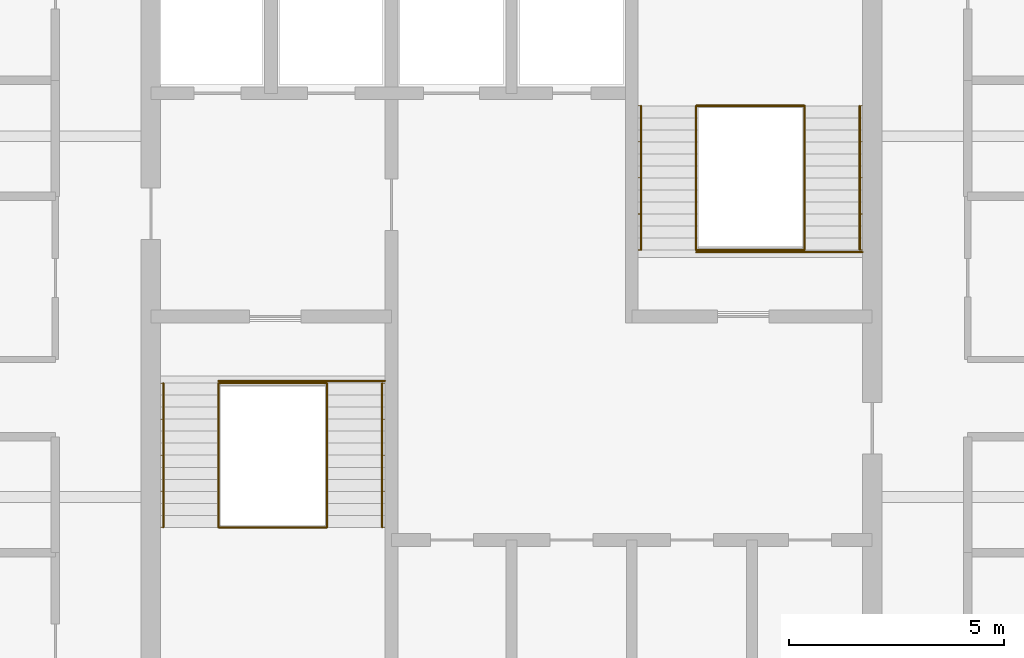
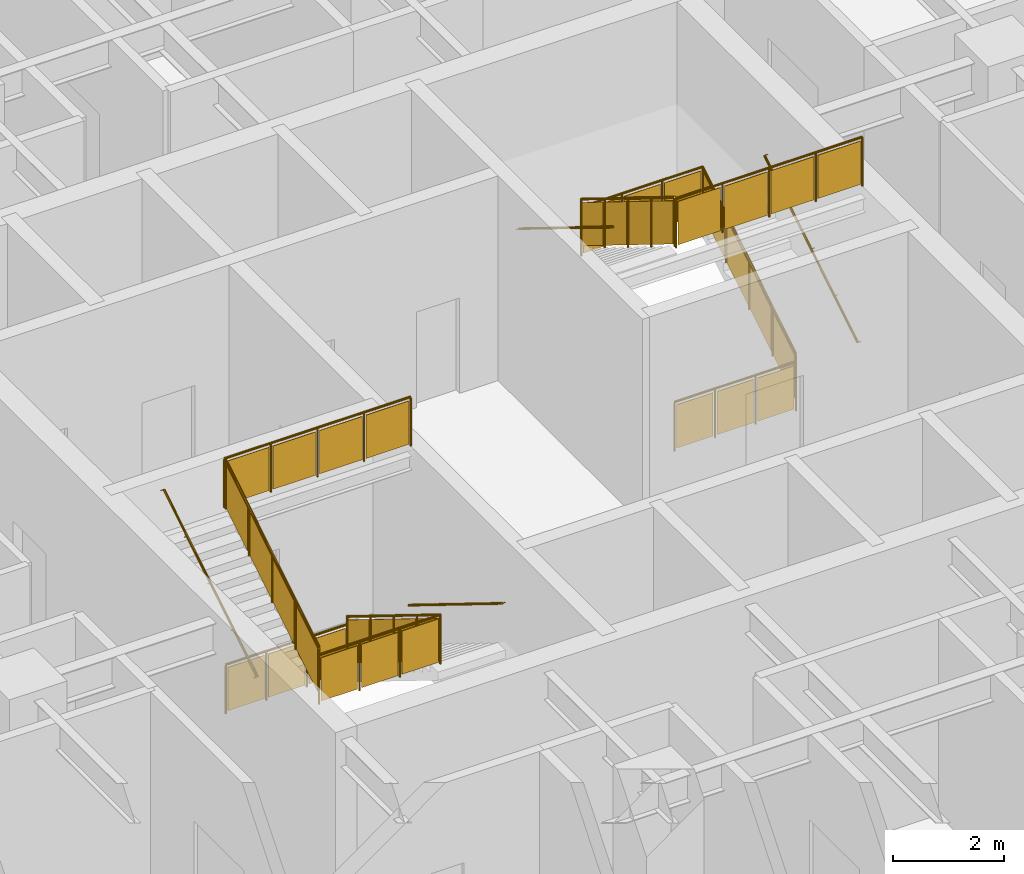
# One storey, part 8 of 8: 14 railings.
"""IFC4 building model written with IfcOpenShell, lengths in metres."""

from ifc_helpers import new_model, si_unit, direction, frame, origin, origin_2d, place, context, subcontext, project, spatial, polyline, circle, outline, extrude, material, type_object, element, save


model = new_model("IFC4")

# Units and contexts
model_context = context("Model", 3, precision=1e-05, world=origin(), true_north=direction((0.0, 1.0)))
body_context = subcontext(model_context, "Body", "Model", "MODEL_VIEW")
ifc_project = project(units=[si_unit("LENGTHUNIT", "METRE"), si_unit("AREAUNIT", "SQUARE_METRE"), si_unit("VOLUMEUNIT", "CUBIC_METRE"), si_unit("PLANEANGLEUNIT", "RADIAN"), si_unit("MASSUNIT", "GRAM", prefix="KILO")], contexts=[model_context])

# Site, building, storey
site_placement = place(None, origin())
site = spatial("IfcSite", under=ifc_project, at=site_placement, CompositionType="ELEMENT")
building_placement = place(site_placement, origin())
building = spatial("IfcBuilding", under=site, at=building_placement, Name="Torre Alcanfor", CompositionType="ELEMENT")
storey_placement = place(building_placement, frame((0.0, 0.0, 305.39990234375)))
storey = spatial("IfcBuildingStorey", under=building, at=storey_placement, Name="L80", CompositionType="ELEMENT", Elevation=305.39990234375)

# Railings
ifc_material_1 = material(Name="Steel ASTM A500 Grade C hollow sections", Category="steel")
railing_type_1 = type_object("IfcRailingType", Name="Stair guard and handrail 1100", PredefinedType="GUARDRAIL", material=ifc_material_1)
railing_1_placement = place(storey_placement, frame((25.10009765625, 27.85009765625, 0.173095703125)))
element("IfcRailing", 1, at=railing_1_placement, inside=storey, type_object=railing_type_1, Name="Stair guard S1 L80 flight 1", PredefinedType="GUARDRAIL", context=body_context, shape_type="SweptSolid", body=[
    extrude(circle(Radius=0.02392578125, at=origin_2d()), frame((0.0, 0.0, 1.076171875), z_axis=(0.0, -0.850623216509, 0.525775754039), x_axis=(1.0, 0.0, 0.0)), (0.0, 0.0, 1.0), 3.9501953125),
    extrude(circle(Radius=0.02099609375, at=origin_2d()), origin(), (0.0, 0.0, 1.0), 1.052001953125),
    extrude(circle(Radius=0.02099609375, at=origin_2d()), frame((0.0, -0.840087890625, 0.519287109375)), (0.0, 0.0, 1.0), 1.052001953125),
    extrude(circle(Radius=0.02099609375, at=origin_2d()), frame((0.0, -1.68017578125, 1.03857421875)), (0.0, 0.0, 1.0), 1.052001953125),
    extrude(circle(Radius=0.02099609375, at=origin_2d()), frame((0.0, -2.52001953125, 1.5576171875)), (0.0, 0.0, 1.0), 1.052001953125),
    extrude(circle(Radius=0.02099609375, at=origin_2d()), frame((0.0, -3.360107421875, 2.076904296875)), (0.0, 0.0, 1.0), 1.052001953125),
    extrude(outline(polyline([(0.041015625, 0.075439453125), (0.799072265625, 0.5439453125), (0.799072265625, 1.495849609375), (0.041015625, 1.02734375), (0.041015625, 0.075439453125)])), frame((0.005859375, 0.0, 0.0), z_axis=(-1.0, 0.0, 0.0), x_axis=(0.0, -1.0, 0.0)), (0.0, 0.0, 1.0), 0.011962890625),
    extrude(outline(polyline([(0.881103515625, 0.594482421875), (1.63916015625, 1.06298828125), (1.63916015625, 2.01513671875), (0.881103515625, 1.546630859375), (0.881103515625, 0.594482421875)])), frame((0.005859375, 0.0, 0.0), z_axis=(-1.0, 0.0, 0.0), x_axis=(0.0, -1.0, 0.0)), (0.0, 0.0, 1.0), 0.011962890625),
    extrude(outline(polyline([(1.720947265625, 1.11376953125), (2.47900390625, 1.582275390625), (2.47900390625, 2.534423828125), (1.720947265625, 2.065673828125), (1.720947265625, 1.11376953125)])), frame((0.005859375, 0.0, 0.0), z_axis=(-1.0, 0.0, 0.0), x_axis=(0.0, -1.0, 0.0)), (0.0, 0.0, 1.0), 0.011962890625),
    extrude(outline(polyline([(2.56103515625, 1.633056640625), (3.319091796875, 2.1015625), (3.319091796875, 3.053466796875), (2.56103515625, 2.5849609375), (2.56103515625, 1.633056640625)])), frame((0.005859375, 0.0, 0.0), z_axis=(-1.0, 0.0, 0.0), x_axis=(0.0, -1.0, 0.0)), (0.0, 0.0, 1.0), 0.011962890625),
])
railing_2_placement = place(storey_placement, frame((22.574951171875, 24.489990234375, 2.423095703125)))
element("IfcRailing", 2, at=railing_2_placement, inside=storey, type_object=railing_type_1, Name="Stair guard S1 L80 flight 2", PredefinedType="GUARDRAIL", context=body_context, shape_type="SweptSolid", body=[
    extrude(circle(Radius=0.02392578125, at=origin_2d()), frame((0.0, 0.0, 1.076171875), z_axis=(0.0, 0.850623216509, 0.525775754039), x_axis=(-1.0, 0.0, 0.0)), (0.0, 0.0, 1.0), 3.9501953125),
    extrude(circle(Radius=0.02099609375, at=origin_2d()), origin(), (0.0, 0.0, 1.0), 1.052001953125),
    extrude(circle(Radius=0.02099609375, at=origin_2d()), frame((0.0, 0.840087890625, 0.519287109375)), (0.0, 0.0, 1.0), 1.052001953125),
    extrude(circle(Radius=0.02099609375, at=origin_2d()), frame((0.0, 1.68017578125, 1.03857421875)), (0.0, 0.0, 1.0), 1.052001953125),
    extrude(circle(Radius=0.02099609375, at=origin_2d()), frame((0.0, 2.52001953125, 1.5576171875)), (0.0, 0.0, 1.0), 1.052001953125),
    extrude(circle(Radius=0.02099609375, at=origin_2d()), frame((0.0, 3.360107421875, 2.076904296875)), (0.0, 0.0, 1.0), 1.052001953125),
    extrude(outline(polyline([(0.041015625, 0.075439453125), (0.799072265625, 0.5439453125), (0.799072265625, 1.495849609375), (0.041015625, 1.02734375), (0.041015625, 0.075439453125)])), frame((-0.005859375, 0.0, 0.0), z_axis=(1.0, 0.0, 0.0), x_axis=(0.0, 1.0, 0.0)), (0.0, 0.0, 1.0), 0.011962890625),
    extrude(outline(polyline([(0.881103515625, 0.594482421875), (1.63916015625, 1.06298828125), (1.63916015625, 2.01513671875), (0.881103515625, 1.546630859375), (0.881103515625, 0.594482421875)])), frame((-0.005859375, 0.0, 0.0), z_axis=(1.0, 0.0, 0.0), x_axis=(0.0, 1.0, 0.0)), (0.0, 0.0, 1.0), 0.011962890625),
    extrude(outline(polyline([(1.720947265625, 1.11376953125), (2.47900390625, 1.582275390625), (2.47900390625, 2.534423828125), (1.720947265625, 2.065673828125), (1.720947265625, 1.11376953125)])), frame((-0.005859375, 0.0, 0.0), z_axis=(1.0, 0.0, 0.0), x_axis=(0.0, 1.0, 0.0)), (0.0, 0.0, 1.0), 0.011962890625),
    extrude(outline(polyline([(2.56103515625, 1.633056640625), (3.319091796875, 2.1015625), (3.319091796875, 3.053466796875), (2.56103515625, 2.5849609375), (2.56103515625, 1.633056640625)])), frame((-0.005859375, 0.0, 0.0), z_axis=(1.0, 0.0, 0.0), x_axis=(0.0, 1.0, 0.0)), (0.0, 0.0, 1.0), 0.011962890625),
])
for number, where, name in (
    (3, (22.574951171875, 27.85009765625, 0.0), "Stair well guard S1 L80 floor landing"),
    (4, (22.574951171875, 24.489990234375, 2.25), "Stair well guard S1 L80 half landing"),
):
    element("IfcRailing", number, at=place(storey_placement, frame(where)), inside=storey, type_object=railing_type_1, Name=name, PredefinedType="GUARDRAIL", context=body_context, shape_type="SweptSolid", body=[
        extrude(circle(Radius=0.02392578125, at=origin_2d()), frame((0.0, 0.0, 1.076171875), z_axis=(1.0, 0.0, 0.0), x_axis=(0.0, 1.0, 0.0)), (0.0, 0.0, 1.0), 2.525146484375),
        extrude(circle(Radius=0.02099609375, at=origin_2d()), origin(), (0.0, 0.0, 1.0), 1.052001953125),
        extrude(circle(Radius=0.02099609375, at=origin_2d()), frame((0.841796875, 0.0, 0.0)), (0.0, 0.0, 1.0), 1.052001953125),
        extrude(circle(Radius=0.02099609375, at=origin_2d()), frame((1.683349609375, 0.0, 0.0)), (0.0, 0.0, 1.0), 1.052001953125),
        extrude(circle(Radius=0.02099609375, at=origin_2d()), frame((2.525146484375, 0.0, 0.0)), (0.0, 0.0, 1.0), 1.052001953125),
        extrude(outline(polyline([(0.041015625, 0.050048828125), (0.80078125, 0.050048828125), (0.80078125, 1.001953125), (0.041015625, 1.001953125), (0.041015625, 0.050048828125)])), frame((0.0, 0.005859375, 0.0), z_axis=(0.0, -1.0, 0.0), x_axis=(1.0, 0.0, 0.0)), (0.0, 0.0, 1.0), 0.011962890625),
        extrude(outline(polyline([(0.8828125, 0.050048828125), (1.642333984375, 0.050048828125), (1.642333984375, 1.001953125), (0.8828125, 1.001953125), (0.8828125, 0.050048828125)])), frame((0.0, 0.005859375, 0.0), z_axis=(0.0, -1.0, 0.0), x_axis=(1.0, 0.0, 0.0)), (0.0, 0.0, 1.0), 0.011962890625),
        extrude(outline(polyline([(1.724365234375, 0.050048828125), (2.484130859375, 0.050048828125), (2.484130859375, 1.001953125), (1.724365234375, 1.001953125), (1.724365234375, 0.050048828125)])), frame((0.0, 0.005859375, 0.0), z_axis=(0.0, -1.0, 0.0), x_axis=(1.0, 0.0, 0.0)), (0.0, 0.0, 1.0), 0.011962890625),
    ])
railing_3_placement = place(storey_placement, frame((22.574951171875, 27.89990234375, 4.5)))
element("IfcRailing", 5, at=railing_3_placement, inside=storey, type_object=railing_type_1, Name="Stair well guard S1 RF top landing", PredefinedType="GUARDRAIL", context=body_context, shape_type="SweptSolid", body=[
    extrude(circle(Radius=0.02392578125, at=origin_2d()), frame((0.0, 0.0, 1.076171875), z_axis=(1.0, 0.0, 0.0), x_axis=(0.0, 1.0, 0.0)), (0.0, 0.0, 1.0), 3.875),
    extrude(circle(Radius=0.02099609375, at=origin_2d()), origin(), (0.0, 0.0, 1.0), 1.052001953125),
    extrude(circle(Radius=0.02099609375, at=origin_2d()), frame((0.96875, 0.0, 0.0)), (0.0, 0.0, 1.0), 1.052001953125),
    extrude(circle(Radius=0.02099609375, at=origin_2d()), frame((1.9375, 0.0, 0.0)), (0.0, 0.0, 1.0), 1.052001953125),
    extrude(circle(Radius=0.02099609375, at=origin_2d()), frame((2.90625, 0.0, 0.0)), (0.0, 0.0, 1.0), 1.052001953125),
    extrude(circle(Radius=0.02099609375, at=origin_2d()), frame((3.875, 0.0, 0.0)), (0.0, 0.0, 1.0), 1.052001953125),
    extrude(outline(polyline([(0.041015625, 0.050048828125), (0.927734375, 0.050048828125), (0.927734375, 1.001953125), (0.041015625, 1.001953125), (0.041015625, 0.050048828125)])), frame((0.0, 0.005859375, 0.0), z_axis=(0.0, -1.0, 0.0), x_axis=(1.0, 0.0, 0.0)), (0.0, 0.0, 1.0), 0.011962890625),
    extrude(outline(polyline([(1.009765625, 0.050048828125), (1.896484375, 0.050048828125), (1.896484375, 1.001953125), (1.009765625, 1.001953125), (1.009765625, 0.050048828125)])), frame((0.0, 0.005859375, 0.0), z_axis=(0.0, -1.0, 0.0), x_axis=(1.0, 0.0, 0.0)), (0.0, 0.0, 1.0), 0.011962890625),
    extrude(outline(polyline([(1.978515625, 0.050048828125), (2.865234375, 0.050048828125), (2.865234375, 1.001953125), (1.978515625, 1.001953125), (1.978515625, 0.050048828125)])), frame((0.0, 0.005859375, 0.0), z_axis=(0.0, -1.0, 0.0), x_axis=(1.0, 0.0, 0.0)), (0.0, 0.0, 1.0), 0.011962890625),
    extrude(outline(polyline([(2.947265625, 0.050048828125), (3.833984375, 0.050048828125), (3.833984375, 1.001953125), (2.947265625, 1.001953125), (2.947265625, 0.050048828125)])), frame((0.0, 0.005859375, 0.0), z_axis=(0.0, -1.0, 0.0), x_axis=(1.0, 0.0, 0.0)), (0.0, 0.0, 1.0), 0.011962890625),
])
railing_4_placement = place(storey_placement, frame((36.22509765625, 30.949951171875, 0.173095703125)))
element("IfcRailing", 6, at=railing_4_placement, inside=storey, type_object=railing_type_1, Name="Stair guard S2 L80 flight 1", PredefinedType="GUARDRAIL", context=body_context, shape_type="SweptSolid", body=[
    extrude(circle(Radius=0.02392578125, at=origin_2d()), frame((0.0, 0.0, 1.076171875), z_axis=(0.0, 0.850623216509, 0.525775754039), x_axis=(-1.0, 0.0, 0.0)), (0.0, 0.0, 1.0), 3.9501953125),
    extrude(circle(Radius=0.02099609375, at=origin_2d()), origin(), (0.0, 0.0, 1.0), 1.052001953125),
    extrude(circle(Radius=0.02099609375, at=origin_2d()), frame((0.0, 0.840087890625, 0.519287109375)), (0.0, 0.0, 1.0), 1.052001953125),
    extrude(circle(Radius=0.02099609375, at=origin_2d()), frame((0.0, 1.68017578125, 1.03857421875)), (0.0, 0.0, 1.0), 1.052001953125),
    extrude(circle(Radius=0.02099609375, at=origin_2d()), frame((0.0, 2.52001953125, 1.5576171875)), (0.0, 0.0, 1.0), 1.052001953125),
    extrude(circle(Radius=0.02099609375, at=origin_2d()), frame((0.0, 3.360107421875, 2.076904296875)), (0.0, 0.0, 1.0), 1.052001953125),
    extrude(outline(polyline([(0.041015625, 0.075439453125), (0.799072265625, 0.5439453125), (0.799072265625, 1.495849609375), (0.041015625, 1.02734375), (0.041015625, 0.075439453125)])), frame((-0.005859375, 0.0, 0.0), z_axis=(1.0, 0.0, 0.0), x_axis=(0.0, 1.0, 0.0)), (0.0, 0.0, 1.0), 0.011962890625),
    extrude(outline(polyline([(0.881103515625, 0.594482421875), (1.63916015625, 1.06298828125), (1.63916015625, 2.01513671875), (0.881103515625, 1.546630859375), (0.881103515625, 0.594482421875)])), frame((-0.005859375, 0.0, 0.0), z_axis=(1.0, 0.0, 0.0), x_axis=(0.0, 1.0, 0.0)), (0.0, 0.0, 1.0), 0.011962890625),
    extrude(outline(polyline([(1.720947265625, 1.11376953125), (2.47900390625, 1.582275390625), (2.47900390625, 2.534423828125), (1.720947265625, 2.065673828125), (1.720947265625, 1.11376953125)])), frame((-0.005859375, 0.0, 0.0), z_axis=(1.0, 0.0, 0.0), x_axis=(0.0, 1.0, 0.0)), (0.0, 0.0, 1.0), 0.011962890625),
    extrude(outline(polyline([(2.56103515625, 1.633056640625), (3.319091796875, 2.1015625), (3.319091796875, 3.053466796875), (2.56103515625, 2.5849609375), (2.56103515625, 1.633056640625)])), frame((-0.005859375, 0.0, 0.0), z_axis=(1.0, 0.0, 0.0), x_axis=(0.0, 1.0, 0.0)), (0.0, 0.0, 1.0), 0.011962890625),
])
railing_5_placement = place(storey_placement, frame((33.699951171875, 34.31005859375, 2.423095703125)))
element("IfcRailing", 7, at=railing_5_placement, inside=storey, type_object=railing_type_1, Name="Stair guard S2 L80 flight 2", PredefinedType="GUARDRAIL", context=body_context, shape_type="SweptSolid", body=[
    extrude(circle(Radius=0.02392578125, at=origin_2d()), frame((0.0, 0.0, 1.076171875), z_axis=(0.0, -0.850623216509, 0.525775754039), x_axis=(1.0, 0.0, 0.0)), (0.0, 0.0, 1.0), 3.9501953125),
    extrude(circle(Radius=0.02099609375, at=origin_2d()), origin(), (0.0, 0.0, 1.0), 1.052001953125),
    extrude(circle(Radius=0.02099609375, at=origin_2d()), frame((0.0, -0.840087890625, 0.519287109375)), (0.0, 0.0, 1.0), 1.052001953125),
    extrude(circle(Radius=0.02099609375, at=origin_2d()), frame((0.0, -1.68017578125, 1.03857421875)), (0.0, 0.0, 1.0), 1.052001953125),
    extrude(circle(Radius=0.02099609375, at=origin_2d()), frame((0.0, -2.52001953125, 1.5576171875)), (0.0, 0.0, 1.0), 1.052001953125),
    extrude(circle(Radius=0.02099609375, at=origin_2d()), frame((0.0, -3.360107421875, 2.076904296875)), (0.0, 0.0, 1.0), 1.052001953125),
    extrude(outline(polyline([(0.041015625, 0.075439453125), (0.799072265625, 0.5439453125), (0.799072265625, 1.495849609375), (0.041015625, 1.02734375), (0.041015625, 0.075439453125)])), frame((0.005859375, 0.0, 0.0), z_axis=(-1.0, 0.0, 0.0), x_axis=(0.0, -1.0, 0.0)), (0.0, 0.0, 1.0), 0.011962890625),
    extrude(outline(polyline([(0.881103515625, 0.594482421875), (1.63916015625, 1.06298828125), (1.63916015625, 2.01513671875), (0.881103515625, 1.546630859375), (0.881103515625, 0.594482421875)])), frame((0.005859375, 0.0, 0.0), z_axis=(-1.0, 0.0, 0.0), x_axis=(0.0, -1.0, 0.0)), (0.0, 0.0, 1.0), 0.011962890625),
    extrude(outline(polyline([(1.720947265625, 1.11376953125), (2.47900390625, 1.582275390625), (2.47900390625, 2.534423828125), (1.720947265625, 2.065673828125), (1.720947265625, 1.11376953125)])), frame((0.005859375, 0.0, 0.0), z_axis=(-1.0, 0.0, 0.0), x_axis=(0.0, -1.0, 0.0)), (0.0, 0.0, 1.0), 0.011962890625),
    extrude(outline(polyline([(2.56103515625, 1.633056640625), (3.319091796875, 2.1015625), (3.319091796875, 3.053466796875), (2.56103515625, 2.5849609375), (2.56103515625, 1.633056640625)])), frame((0.005859375, 0.0, 0.0), z_axis=(-1.0, 0.0, 0.0), x_axis=(0.0, -1.0, 0.0)), (0.0, 0.0, 1.0), 0.011962890625),
])
for number, where, name in (
    (8, (33.699951171875, 30.949951171875, 0.0), "Stair well guard S2 L80 floor landing"),
    (9, (33.699951171875, 34.31005859375, 2.25), "Stair well guard S2 L80 half landing"),
):
    element("IfcRailing", number, at=place(storey_placement, frame(where)), inside=storey, type_object=railing_type_1, Name=name, PredefinedType="GUARDRAIL", context=body_context, shape_type="SweptSolid", body=[
        extrude(circle(Radius=0.02392578125, at=origin_2d()), frame((0.0, 0.0, 1.076171875), z_axis=(1.0, 0.0, 0.0), x_axis=(0.0, 1.0, 0.0)), (0.0, 0.0, 1.0), 2.525146484375),
        extrude(circle(Radius=0.02099609375, at=origin_2d()), origin(), (0.0, 0.0, 1.0), 1.052001953125),
        extrude(circle(Radius=0.02099609375, at=origin_2d()), frame((0.841796875, 0.0, 0.0)), (0.0, 0.0, 1.0), 1.052001953125),
        extrude(circle(Radius=0.02099609375, at=origin_2d()), frame((1.683349609375, 0.0, 0.0)), (0.0, 0.0, 1.0), 1.052001953125),
        extrude(circle(Radius=0.02099609375, at=origin_2d()), frame((2.525146484375, 0.0, 0.0)), (0.0, 0.0, 1.0), 1.052001953125),
        extrude(outline(polyline([(0.041015625, 0.050048828125), (0.80078125, 0.050048828125), (0.80078125, 1.001953125), (0.041015625, 1.001953125), (0.041015625, 0.050048828125)])), frame((0.0, 0.005859375, 0.0), z_axis=(0.0, -1.0, 0.0), x_axis=(1.0, 0.0, 0.0)), (0.0, 0.0, 1.0), 0.011962890625),
        extrude(outline(polyline([(0.8828125, 0.050048828125), (1.642333984375, 0.050048828125), (1.642333984375, 1.001953125), (0.8828125, 1.001953125), (0.8828125, 0.050048828125)])), frame((0.0, 0.005859375, 0.0), z_axis=(0.0, -1.0, 0.0), x_axis=(1.0, 0.0, 0.0)), (0.0, 0.0, 1.0), 0.011962890625),
        extrude(outline(polyline([(1.724365234375, 0.050048828125), (2.484130859375, 0.050048828125), (2.484130859375, 1.001953125), (1.724365234375, 1.001953125), (1.724365234375, 0.050048828125)])), frame((0.0, 0.005859375, 0.0), z_axis=(0.0, -1.0, 0.0), x_axis=(1.0, 0.0, 0.0)), (0.0, 0.0, 1.0), 0.011962890625),
    ])
railing_6_placement = place(storey_placement, frame((33.699951171875, 30.89990234375, 4.5)))
element("IfcRailing", 10, at=railing_6_placement, inside=storey, type_object=railing_type_1, Name="Stair well guard S2 RF top landing", PredefinedType="GUARDRAIL", context=body_context, shape_type="SweptSolid", body=[
    extrude(circle(Radius=0.02392578125, at=origin_2d()), frame((0.0, 0.0, 1.076171875), z_axis=(1.0, 0.0, 0.0), x_axis=(0.0, 1.0, 0.0)), (0.0, 0.0, 1.0), 3.875),
    extrude(circle(Radius=0.02099609375, at=origin_2d()), origin(), (0.0, 0.0, 1.0), 1.052001953125),
    extrude(circle(Radius=0.02099609375, at=origin_2d()), frame((0.96875, 0.0, 0.0)), (0.0, 0.0, 1.0), 1.052001953125),
    extrude(circle(Radius=0.02099609375, at=origin_2d()), frame((1.9375, 0.0, 0.0)), (0.0, 0.0, 1.0), 1.052001953125),
    extrude(circle(Radius=0.02099609375, at=origin_2d()), frame((2.90625, 0.0, 0.0)), (0.0, 0.0, 1.0), 1.052001953125),
    extrude(circle(Radius=0.02099609375, at=origin_2d()), frame((3.875, 0.0, 0.0)), (0.0, 0.0, 1.0), 1.052001953125),
    extrude(outline(polyline([(0.041015625, 0.050048828125), (0.927734375, 0.050048828125), (0.927734375, 1.001953125), (0.041015625, 1.001953125), (0.041015625, 0.050048828125)])), frame((0.0, 0.005859375, 0.0), z_axis=(0.0, -1.0, 0.0), x_axis=(1.0, 0.0, 0.0)), (0.0, 0.0, 1.0), 0.011962890625),
    extrude(outline(polyline([(1.009765625, 0.050048828125), (1.896484375, 0.050048828125), (1.896484375, 1.001953125), (1.009765625, 1.001953125), (1.009765625, 0.050048828125)])), frame((0.0, 0.005859375, 0.0), z_axis=(0.0, -1.0, 0.0), x_axis=(1.0, 0.0, 0.0)), (0.0, 0.0, 1.0), 0.011962890625),
    extrude(outline(polyline([(1.978515625, 0.050048828125), (2.865234375, 0.050048828125), (2.865234375, 1.001953125), (1.978515625, 1.001953125), (1.978515625, 0.050048828125)])), frame((0.0, 0.005859375, 0.0), z_axis=(0.0, -1.0, 0.0), x_axis=(1.0, 0.0, 0.0)), (0.0, 0.0, 1.0), 0.011962890625),
    extrude(outline(polyline([(2.947265625, 0.050048828125), (3.833984375, 0.050048828125), (3.833984375, 1.001953125), (2.947265625, 1.001953125), (2.947265625, 0.050048828125)])), frame((0.0, 0.005859375, 0.0), z_axis=(0.0, -1.0, 0.0), x_axis=(1.0, 0.0, 0.0)), (0.0, 0.0, 1.0), 0.011962890625),
])
ifc_material_2 = material(Name="Steel ASTM A500 Grade C hollow sections", Category="steel")
railing_type_2 = type_object("IfcRailingType", Name="Stair wall handrail 900", PredefinedType="HANDRAIL", material=ifc_material_2)
railing_7_placement = place(storey_placement, frame((26.385009765625, 27.85009765625, 0.173095703125)))
element("IfcRailing", 11, at=railing_7_placement, inside=storey, type_object=railing_type_2, Name="Stair handrail S1 L80 flight 1", PredefinedType="HANDRAIL", context=body_context, shape_type="SweptSolid", body=[
    extrude(circle(Radius=0.02392578125, at=origin_2d()), frame((0.0, 0.0, 0.8759765625), z_axis=(0.0, -0.850623216509, 0.525775754039), x_axis=(1.0, 0.0, 0.0)), (0.0, 0.0, 1.0), 3.9501953125),
    extrude(circle(Radius=0.008056640625, at=origin_2d()), frame((0.0, 0.0, 0.8759765625), z_axis=(1.0, 0.0, 0.0), x_axis=(0.0, 0.0, 1.0)), (0.0, 0.0, 1.0), 0.06494140625),
    extrude(circle(Radius=0.008056640625, at=origin_2d()), frame((0.0, -0.840087890625, 1.39501953125), z_axis=(1.0, 0.0, 0.0), x_axis=(0.0, 0.0, 1.0)), (0.0, 0.0, 1.0), 0.06494140625),
    extrude(circle(Radius=0.008056640625, at=origin_2d()), frame((0.0, -1.68017578125, 1.914306640625), z_axis=(1.0, 0.0, 0.0), x_axis=(0.0, 0.0, 1.0)), (0.0, 0.0, 1.0), 0.06494140625),
    extrude(circle(Radius=0.008056640625, at=origin_2d()), frame((0.0, -2.52001953125, 2.43359375), z_axis=(1.0, 0.0, 0.0), x_axis=(0.0, 0.0, 1.0)), (0.0, 0.0, 1.0), 0.06494140625),
    extrude(circle(Radius=0.008056640625, at=origin_2d()), frame((0.0, -3.360107421875, 2.95263671875), z_axis=(1.0, 0.0, 0.0), x_axis=(0.0, 0.0, 1.0)), (0.0, 0.0, 1.0), 0.06494140625),
])
railing_8_placement = place(storey_placement, frame((21.2900390625, 24.489990234375, 2.423095703125)))
element("IfcRailing", 12, at=railing_8_placement, inside=storey, type_object=railing_type_2, Name="Stair handrail S1 L80 flight 2", PredefinedType="HANDRAIL", context=body_context, shape_type="SweptSolid", body=[
    extrude(circle(Radius=0.02392578125, at=origin_2d()), frame((0.0, 0.0, 0.8759765625), z_axis=(0.0, 0.850623216509, 0.525775754039), x_axis=(-1.0, 0.0, 0.0)), (0.0, 0.0, 1.0), 3.9501953125),
    extrude(circle(Radius=0.008056640625, at=origin_2d()), frame((0.0, 0.0, 0.8759765625), z_axis=(-1.0, 0.0, 0.0), x_axis=(0.0, 0.0, 1.0)), (0.0, 0.0, 1.0), 0.06494140625),
    extrude(circle(Radius=0.008056640625, at=origin_2d()), frame((0.0, 0.840087890625, 1.39501953125), z_axis=(-1.0, 0.0, 0.0), x_axis=(0.0, 0.0, 1.0)), (0.0, 0.0, 1.0), 0.06494140625),
    extrude(circle(Radius=0.008056640625, at=origin_2d()), frame((0.0, 1.68017578125, 1.914306640625), z_axis=(-1.0, 0.0, 0.0), x_axis=(0.0, 0.0, 1.0)), (0.0, 0.0, 1.0), 0.06494140625),
    extrude(circle(Radius=0.008056640625, at=origin_2d()), frame((0.0, 2.52001953125, 2.43359375), z_axis=(-1.0, 0.0, 0.0), x_axis=(0.0, 0.0, 1.0)), (0.0, 0.0, 1.0), 0.06494140625),
    extrude(circle(Radius=0.008056640625, at=origin_2d()), frame((0.0, 3.360107421875, 2.95263671875), z_axis=(-1.0, 0.0, 0.0), x_axis=(0.0, 0.0, 1.0)), (0.0, 0.0, 1.0), 0.06494140625),
])
railing_9_placement = place(storey_placement, frame((37.510009765625, 30.949951171875, 0.173095703125)))
element("IfcRailing", 13, at=railing_9_placement, inside=storey, type_object=railing_type_2, Name="Stair handrail S2 L80 flight 1", PredefinedType="HANDRAIL", context=body_context, shape_type="SweptSolid", body=[
    extrude(circle(Radius=0.02392578125, at=origin_2d()), frame((0.0, 0.0, 0.8759765625), z_axis=(0.0, 0.850623216509, 0.525775754039), x_axis=(-1.0, 0.0, 0.0)), (0.0, 0.0, 1.0), 3.9501953125),
    extrude(circle(Radius=0.008056640625, at=origin_2d()), frame((0.0, 0.0, 0.8759765625), z_axis=(1.0, 0.0, 0.0), x_axis=(0.0, 0.0, 1.0)), (0.0, 0.0, 1.0), 0.06494140625),
    extrude(circle(Radius=0.008056640625, at=origin_2d()), frame((0.0, 0.840087890625, 1.39501953125), z_axis=(1.0, 0.0, 0.0), x_axis=(0.0, 0.0, 1.0)), (0.0, 0.0, 1.0), 0.06494140625),
    extrude(circle(Radius=0.008056640625, at=origin_2d()), frame((0.0, 1.68017578125, 1.914306640625), z_axis=(1.0, 0.0, 0.0), x_axis=(0.0, 0.0, 1.0)), (0.0, 0.0, 1.0), 0.06494140625),
    extrude(circle(Radius=0.008056640625, at=origin_2d()), frame((0.0, 2.52001953125, 2.43359375), z_axis=(1.0, 0.0, 0.0), x_axis=(0.0, 0.0, 1.0)), (0.0, 0.0, 1.0), 0.06494140625),
    extrude(circle(Radius=0.008056640625, at=origin_2d()), frame((0.0, 3.360107421875, 2.95263671875), z_axis=(1.0, 0.0, 0.0), x_axis=(0.0, 0.0, 1.0)), (0.0, 0.0, 1.0), 0.06494140625),
])
railing_10_placement = place(storey_placement, frame((32.4150390625, 34.31005859375, 2.423095703125)))
element("IfcRailing", 14, at=railing_10_placement, inside=storey, type_object=railing_type_2, Name="Stair handrail S2 L80 flight 2", PredefinedType="HANDRAIL", context=body_context, shape_type="SweptSolid", body=[
    extrude(circle(Radius=0.02392578125, at=origin_2d()), frame((0.0, 0.0, 0.8759765625), z_axis=(0.0, -0.850623216509, 0.525775754039), x_axis=(1.0, 0.0, 0.0)), (0.0, 0.0, 1.0), 3.9501953125),
    extrude(circle(Radius=0.008056640625, at=origin_2d()), frame((0.0, 0.0, 0.8759765625), z_axis=(-1.0, 0.0, 0.0), x_axis=(0.0, 0.0, 1.0)), (0.0, 0.0, 1.0), 0.06494140625),
    extrude(circle(Radius=0.008056640625, at=origin_2d()), frame((0.0, -0.840087890625, 1.39501953125), z_axis=(-1.0, 0.0, 0.0), x_axis=(0.0, 0.0, 1.0)), (0.0, 0.0, 1.0), 0.06494140625),
    extrude(circle(Radius=0.008056640625, at=origin_2d()), frame((0.0, -1.68017578125, 1.914306640625), z_axis=(-1.0, 0.0, 0.0), x_axis=(0.0, 0.0, 1.0)), (0.0, 0.0, 1.0), 0.06494140625),
    extrude(circle(Radius=0.008056640625, at=origin_2d()), frame((0.0, -2.52001953125, 2.43359375), z_axis=(-1.0, 0.0, 0.0), x_axis=(0.0, 0.0, 1.0)), (0.0, 0.0, 1.0), 0.06494140625),
    extrude(circle(Radius=0.008056640625, at=origin_2d()), frame((0.0, -3.360107421875, 2.95263671875), z_axis=(-1.0, 0.0, 0.0), x_axis=(0.0, 0.0, 1.0)), (0.0, 0.0, 1.0), 0.06494140625),
])

save(model, "model.ifc")
